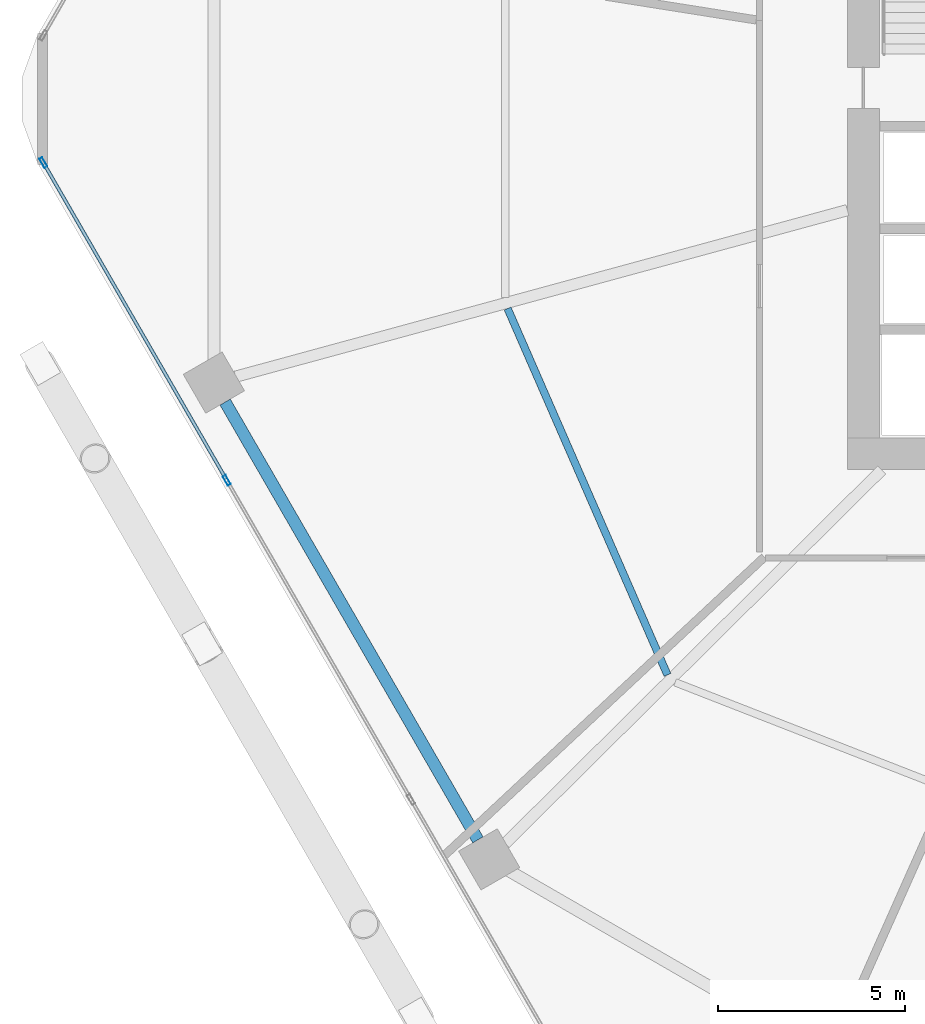
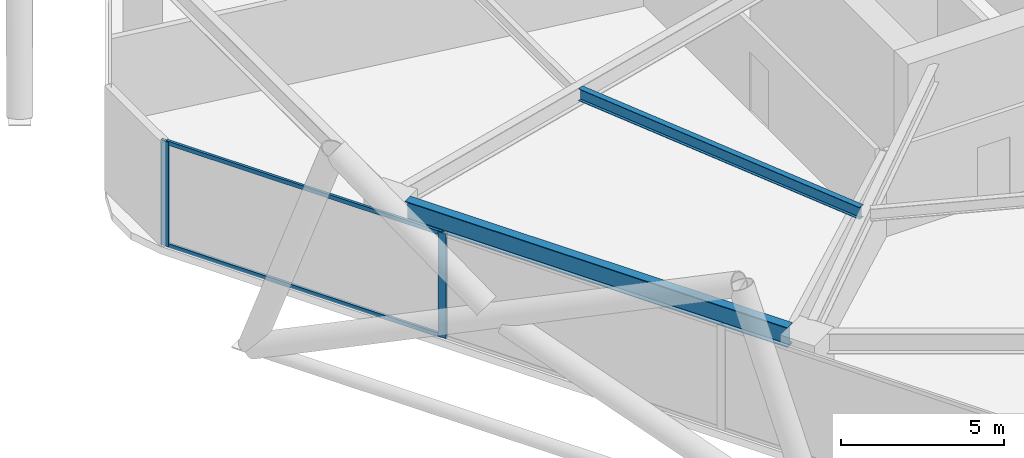
# One storey, part 5 of 28: 4 members, 2 beams, 1 element without a shape of its own.
"""IFC4 building model written with IfcOpenShell, lengths in metres."""

import ifcopenshell
import ifcopenshell.guid

model = None  # the IFC model being written
_history = None  # IfcOwnerHistory: only IFC2X3 demands one
_inside = {}  # id of a spatial element -> (the spatial element, [elements in it])
_under = {}  # id of a project, library or spatial element -> (it, [spatial elements below it])
_declared = {}  # id of a project -> (the project, [libraries it declares])
_typed = {}  # id of a type object -> (the type object, [elements of that type])
_made_of = {}  # id of a material, layer set ... -> (it, [elements and type objects made of it])


def new_model(schema):
    """Start an empty IFC model of exactly this schema.

    Asked for "IFC4X3", IfcOpenShell would pick the latest addendum, in which some entities
    have other attributes; the version numbers below select the first issue.
    IFC2X3 requires an IfcOwnerHistory on every rooted entity: one is made here for all.
    """
    global model, _history
    if schema == "IFC4X3":
        model = ifcopenshell.file(schema_version=(4, 3, 0, 0))
    else:
        model = ifcopenshell.file(schema=schema)
    _inside.clear()
    _under.clear()
    _declared.clear()
    _typed.clear()
    _made_of.clear()
    _history = None
    if model.schema == "IFC2X3":
        org = make("IfcOrganization", Name="unknown")
        user = make(
            "IfcPersonAndOrganization",
            ThePerson=make("IfcPerson", FamilyName="unknown"),
            TheOrganization=org,
        )
        app = make(
            "IfcApplication",
            ApplicationDeveloper=org,
            Version="unknown",
            ApplicationFullName="unknown",
            ApplicationIdentifier="unknown",
        )
        _history = make(
            "IfcOwnerHistory",
            OwningUser=user,
            OwningApplication=app,
            ChangeAction="ADDED",
            CreationDate=0,
        )
    return model


def make(cls, **values):
    """One entity of the class cls with the attributes given. An attribute that is None is left unset."""
    return model.create_entity(
        cls, **{name: value for name, value in values.items() if value is not None}
    )


def rooted(cls, **values):
    """An entity with a GlobalId (a new one), such as an element, a storey or a relation."""
    return make(cls, GlobalId=ifcopenshell.guid.new(), OwnerHistory=_history, **values)


def si_unit(unit_type, name, prefix=None):
    """IfcSIUnit, for example si_unit("LENGTHUNIT", "METRE", prefix="MILLI")."""
    return make("IfcSIUnit", UnitType=unit_type, Prefix=prefix, Name=name)


def assignment(units):
    """IfcUnitAssignment: the units of a project."""
    return None if units is None else make("IfcUnitAssignment", Units=units)


def point(xyz):
    """IfcCartesianPoint."""
    return None if xyz is None else make("IfcCartesianPoint", Coordinates=xyz)


def direction(xyz):
    """IfcDirection."""
    return None if xyz is None else make("IfcDirection", DirectionRatios=xyz)


def frame(location, z_axis=None, x_axis=None):
    """IfcAxis2Placement3D, a coordinate frame: its origin and axes. An axis left out is left unset."""
    return make(
        "IfcAxis2Placement3D",
        Location=point(location),
        Axis=direction(z_axis),
        RefDirection=direction(x_axis),
    )


def frame_2d(location, x_axis=None):
    """IfcAxis2Placement2D, a coordinate frame in the plane: its origin and x axis."""
    return make(
        "IfcAxis2Placement2D", Location=point(location), RefDirection=direction(x_axis)
    )


def origin():
    """The frame at (0, 0, 0) with its axes left unset."""
    return frame((0.0, 0.0, 0.0))


def origin_2d():
    """The frame at (0, 0) in the plane with its x axis left unset."""
    return frame_2d((0.0, 0.0))


def place(relative_to, where):
    """IfcLocalPlacement: puts the frame where relative to a parent placement (None: the world)."""
    return make(
        "IfcLocalPlacement", PlacementRelTo=relative_to, RelativePlacement=where
    )


def context(
    kind, dimensions, precision=None, world=None, true_north=None, identifier=None
):
    """IfcGeometricRepresentationContext, for example the 3D "Model" context."""
    return make(
        "IfcGeometricRepresentationContext",
        ContextIdentifier=identifier,
        ContextType=kind,
        CoordinateSpaceDimension=dimensions,
        Precision=precision,
        WorldCoordinateSystem=world,
        TrueNorth=true_north,
    )


def subcontext(parent, identifier, kind, view, scale=None):
    """IfcGeometricRepresentationSubContext, for example "Body" below "Model"."""
    return make(
        "IfcGeometricRepresentationSubContext",
        ContextIdentifier=identifier,
        ContextType=kind,
        ParentContext=parent,
        TargetScale=scale,
        TargetView=view,
    )


def project(units=None, contexts=None):
    """IfcProject with its units and contexts."""
    return rooted(
        "IfcProject",
        Name="project",
        RepresentationContexts=contexts,
        UnitsInContext=assignment(units),
    )


def spatial(cls, under=None, at=None, **own):
    """A site, building, storey or space (cls), placed at a placement, below another one or the project."""
    s = rooted(cls, ObjectPlacement=at, **own)
    if under is not None:
        _under.setdefault(under.id(), (under, []))[1].append(s)
    return s


def profile(cls, at=None, kind="AREA", **sizes):
    """A parametric profile (cls). Its sizes go by their IFC names, for example OverallWidth=200.0."""
    return make(cls, ProfileType=kind, Position=at, **sizes)


def hollow_rectangle(**sizes):
    """IfcRectangleHollowProfileDef."""
    return profile("IfcRectangleHollowProfileDef", **sizes)


def i_section(**sizes):
    """IfcIShapeProfileDef."""
    return profile("IfcIShapeProfileDef", **sizes)


def extrude(swept, where, along, depth):
    """IfcExtrudedAreaSolid: the profile swept, set in the frame where, extruded along a direction by depth."""
    return make(
        "IfcExtrudedAreaSolid",
        SweptArea=swept,
        Position=where,
        ExtrudedDirection=direction(along),
        Depth=depth,
    )


def shape(context_of_items, identifier, shape_type, items):
    """IfcShapeRepresentation: the items that make up one representation, for example the "Body"."""
    return make(
        "IfcShapeRepresentation",
        ContextOfItems=context_of_items,
        RepresentationIdentifier=identifier,
        RepresentationType=shape_type,
        Items=items,
    )


def material(Name=None, Category=None):
    """IfcMaterial."""
    return make("IfcMaterial", Name=Name, Category=Category)


def material_profile(
    of_material, cross_section, Name=None, Category=None, Priority=None
):
    """IfcMaterialProfile: a cross section and its material."""
    return make(
        "IfcMaterialProfile",
        Name=Name,
        Material=of_material,
        Profile=cross_section,
        Priority=Priority,
        Category=Category,
    )


def profile_set(profiles, Name=None, composite=None):
    """IfcMaterialProfileSet."""
    return make(
        "IfcMaterialProfileSet",
        Name=Name,
        MaterialProfiles=profiles,
        CompositeProfile=composite,
    )


def made_of(thing, what):
    """Note that an element or type object is made of a material, layer set ...; save() writes the relation."""
    if what is not None:
        _made_of.setdefault(what.id(), (what, []))[1].append(thing)
    return thing


def type_object(cls, material=None, **own):
    """A type object (cls), such as IfcWallType, which elements share."""
    return made_of(rooted(cls, **own), material)


def element(
    cls,
    number,
    at=None,
    inside=None,
    cuts=None,
    type_object=None,
    material=None,
    context=None,
    identifier="Body",
    shape_type=None,
    held_by="IfcProductDefinitionShape",
    body=None,
    shapes=None,
    **own,
):
    """One element of the class cls, such as IfcWall. Its Tag is "e" and its number.

    at: its placement. inside: the storey or other place that contains it. cuts: it is an
    opening in that element (IfcRelVoidsElement). A single representation is given by context,
    identifier, shape_type and body (its items); several are given by shapes. held_by: the class
    of the entity that holds the representations. save() writes the other relations.
    """
    e = rooted(cls, Tag="e%d" % number, ObjectPlacement=at, **own)
    if body is not None:
        shapes = [shape(context, identifier, shape_type, body)]
    if shapes is not None:
        e.Representation = make(held_by, Representations=shapes)
    if inside is not None:
        _inside.setdefault(inside.id(), (inside, []))[1].append(e)
    if cuts is not None:
        rooted(
            "IfcRelVoidsElement", RelatingBuildingElement=cuts, RelatedOpeningElement=e
        )
    if type_object is not None:
        _typed.setdefault(type_object.id(), (type_object, []))[1].append(e)
    return made_of(e, material)


def aggregate(whole, parts):
    """IfcRelAggregates: a whole, such as a stair, and the parts it consists of."""
    return rooted("IfcRelAggregates", RelatingObject=whole, RelatedObjects=parts)


def save(model, path):
    """Write the relations noted so far, then the file.

    IfcRelAggregates (storeys below a building ...), IfcRelContainedInSpatialStructure (elements
    in a storey), IfcRelDefinesByType, IfcRelAssociatesMaterial and IfcRelDeclares: one each for
    every whole, place, type object, material and project.
    """
    for whole, parts in _under.values():
        aggregate(whole, parts)
    for where, things in _inside.values():
        rooted(
            "IfcRelContainedInSpatialStructure",
            RelatedElements=things,
            RelatingStructure=where,
        )
    for kind, things in _typed.values():
        rooted("IfcRelDefinesByType", RelatedObjects=things, RelatingType=kind)
    for what, things in _made_of.values():
        rooted("IfcRelAssociatesMaterial", RelatedObjects=things, RelatingMaterial=what)
    for by, libraries in _declared.values():
        rooted("IfcRelDeclares", RelatingContext=by, RelatedDefinitions=libraries)
    model.write(path)


model = new_model("IFC4")

# Units and contexts
model_context = context("Model", 3, precision=1e-05, world=origin(), true_north=direction((0.0, 1.0)))
body_context = subcontext(model_context, "Body", "Model", "MODEL_VIEW")
ifc_project = project(units=[si_unit("LENGTHUNIT", "METRE"), si_unit("AREAUNIT", "SQUARE_METRE"), si_unit("VOLUMEUNIT", "CUBIC_METRE"), si_unit("PLANEANGLEUNIT", "RADIAN"), si_unit("MASSUNIT", "GRAM", prefix="KILO")], contexts=[model_context])

# Site, building, storey
site_placement = place(None, origin())
site = spatial("IfcSite", under=ifc_project, at=site_placement, CompositionType="ELEMENT")
building_placement = place(site_placement, origin())
building = spatial("IfcBuilding", under=site, at=building_placement, Name="Zuhravey Tower", CompositionType="ELEMENT")
storey_placement = place(building_placement, frame((0.0, 0.0, 75.0)))
storey = spatial("IfcBuildingStorey", under=building, at=storey_placement, Name="L18", CompositionType="ELEMENT", Elevation=75.0)

# Curtain wall, members
ifc_material_1 = material(Name="Thermally broken anodised aluminium", Category="aluminium")
curtain_wall_type = type_object("IfcCurtainWallType", Name="School Low-E Unitised Curtain Wall CW1", PredefinedType="NOTDEFINED", material=ifc_material_1)
curtain_wall_placement = place(storey_placement, origin())
curtain_wall = element("IfcCurtainWall", 1, at=curtain_wall_placement, inside=storey, type_object=curtain_wall_type, Name="L18 CW1 CW-L18-F4-1", PredefinedType="NOTDEFINED")
ifc_material_2 = material(Name="Anodised aluminium", Category="aluminium")
ifc_material_profile_1 = material_profile(ifc_material_2, hollow_rectangle(XDim=0.090087890625, YDim=0.284912109375, WallThickness=0.0048828125, at=origin_2d()), Name="ALU-RHS-90x285x5")
ifc_profile_set_1 = profile_set([ifc_material_profile_1], Name="Anodised aluminium")
member_type_1 = type_object("IfcMemberType", Name="Curtain-Wall Mullion 90x180", PredefinedType="MULLION", material=ifc_profile_set_1)
member_1_placement = place(storey_placement, frame((8.45458984375, 21.79296875, 0.0), z_axis=(0.0, 0.0, 1.0), x_axis=(-0.86602552265, -0.499999794119, 0.0)))
member_1 = element("IfcMember", 2, at=member_1_placement, type_object=member_type_1, Name="CW1 mullion 3", PredefinedType="MULLION", context=body_context, shape_type="SweptSolid", body=[
    extrude(hollow_rectangle(XDim=0.090087890625, YDim=0.284912109375, WallThickness=0.0048828125, at=origin_2d()), origin(), (0.0, 0.0, 1.0), 3.919921875),
])
member_2_placement = place(storey_placement, frame((3.5439453125, 30.298583984375, 0.0), z_axis=(0.0, 0.0, 1.0), x_axis=(-0.86602552265, -0.499999794119, 0.0)))
member_2 = element("IfcMember", 3, at=member_2_placement, type_object=member_type_1, Name="CW1 mullion 4", PredefinedType="MULLION", context=body_context, shape_type="SweptSolid", body=[
    extrude(hollow_rectangle(XDim=0.090087890625, YDim=0.284912109375, WallThickness=0.0048828125, at=origin_2d()), origin(), (0.0, 0.0, 1.0), 3.919921875),
])
ifc_material_profile_2 = material_profile(ifc_material_2, hollow_rectangle(XDim=0.090087890625, YDim=0.14990234375, WallThickness=0.0048828125, at=origin_2d()), Name="ALU-RHS-90x150x5")
ifc_profile_set_2 = profile_set([ifc_material_profile_2], Name="Anodised aluminium")
member_type_2 = type_object("IfcMemberType", Name="Curtain-Wall Transom 90x150", PredefinedType="USERDEFINED", material=ifc_profile_set_2)
member_3_placement = place(storey_placement, frame((8.43212890625, 21.83203125, 0.044921875), z_axis=(-0.500008393077, 0.866020557985, 0.0), x_axis=(-0.866020557985, -0.500008393077, 0.0)))
member_3 = element("IfcMember", 4, at=member_3_placement, type_object=member_type_2, Name="CW1 transom 3.1", ObjectType="TRANSOM", PredefinedType="USERDEFINED", context=body_context, shape_type="SweptSolid", body=[
    extrude(hollow_rectangle(XDim=0.090087890625, YDim=0.14990234375, WallThickness=0.0048828125, at=origin_2d()), origin(), (0.0, 0.0, 1.0), 9.731201171875),
])
member_4_placement = place(storey_placement, frame((8.43212890625, 21.83203125, 3.875), z_axis=(-0.500008393077, 0.866020557985, 0.0), x_axis=(-0.866020557985, -0.500008393077, 0.0)))
member_4 = element("IfcMember", 5, at=member_4_placement, type_object=member_type_2, Name="CW1 transom 3.2", ObjectType="TRANSOM", PredefinedType="USERDEFINED", context=body_context, shape_type="SweptSolid", body=[
    extrude(hollow_rectangle(XDim=0.090087890625, YDim=0.14990234375, WallThickness=0.0048828125, at=origin_2d()), origin(), (0.0, 0.0, 1.0), 9.731201171875),
])
aggregate(curtain_wall, [member_1, member_2, member_3, member_4])

# Beams
ifc_material_3 = material(Name="Steel SM355", Category="steel")
ifc_material_profile_3 = material_profile(ifc_material_3, i_section(OverallWidth=0.320068359375, OverallDepth=0.75, WebThickness=0.013916015625, FlangeThickness=0.02490234375, at=origin_2d()), Name="H-750x320x14x25")
ifc_profile_set_3 = profile_set([ifc_material_profile_3], Name="Steel SM355")
beam_type_1 = type_object("IfcBeamType", Name="Perimeter Ring Beam H750x320", PredefinedType="BEAM", material=ifc_profile_set_3)
beam_1_placement = place(storey_placement, frame((8.412353515625, 23.88623046875, 3.544921875), z_axis=(0.499999877243, -0.866025474658, 0.0), x_axis=(0.866025474658, 0.499999877243, 0.0)))
element("IfcBeam", 6, at=beam_1_placement, inside=storey, type_object=beam_type_1, Name="L18 PB1 BM-L18-PB-07", PredefinedType="BEAM", context=body_context, shape_type="SweptSolid", body=[
    extrude(i_section(OverallWidth=0.320068359375, OverallDepth=0.75, WebThickness=0.013916015625, FlangeThickness=0.02490234375, at=origin_2d()), origin(), (0.0, 0.0, 1.0), 13.5341796875),
])
ifc_material_profile_4 = material_profile(ifc_material_3, i_section(OverallWidth=0.199951171875, OverallDepth=0.449951171875, WebThickness=0.009033203125, FlangeThickness=0.013916015625, at=origin_2d()), Name="H-450x200x9x14")
ifc_profile_set_4 = profile_set([ifc_material_profile_4], Name="Steel SM355")
beam_type_2 = type_object("IfcBeamType", Name="Secondary Floor Joist H450x200", PredefinedType="JOIST", material=ifc_profile_set_4)
beam_2_placement = place(storey_placement, frame((15.974609375, 26.39111328125, 3.695068359375), z_axis=(0.399923551578, -0.916548500022, 0.0), x_axis=(0.916548500022, 0.399923551578, 0.0)))
element("IfcBeam", 7, at=beam_2_placement, inside=storey, type_object=beam_type_2, Name="L18 SJ1 BM-L18-SJ-07-1", PredefinedType="JOIST", context=body_context, shape_type="SweptSolid", body=[
    extrude(i_section(OverallWidth=0.199951171875, OverallDepth=0.449951171875, WebThickness=0.009033203125, FlangeThickness=0.013916015625, at=origin_2d()), origin(), (0.0, 0.0, 1.0), 10.70263671875),
])

save(model, "model.ifc")
